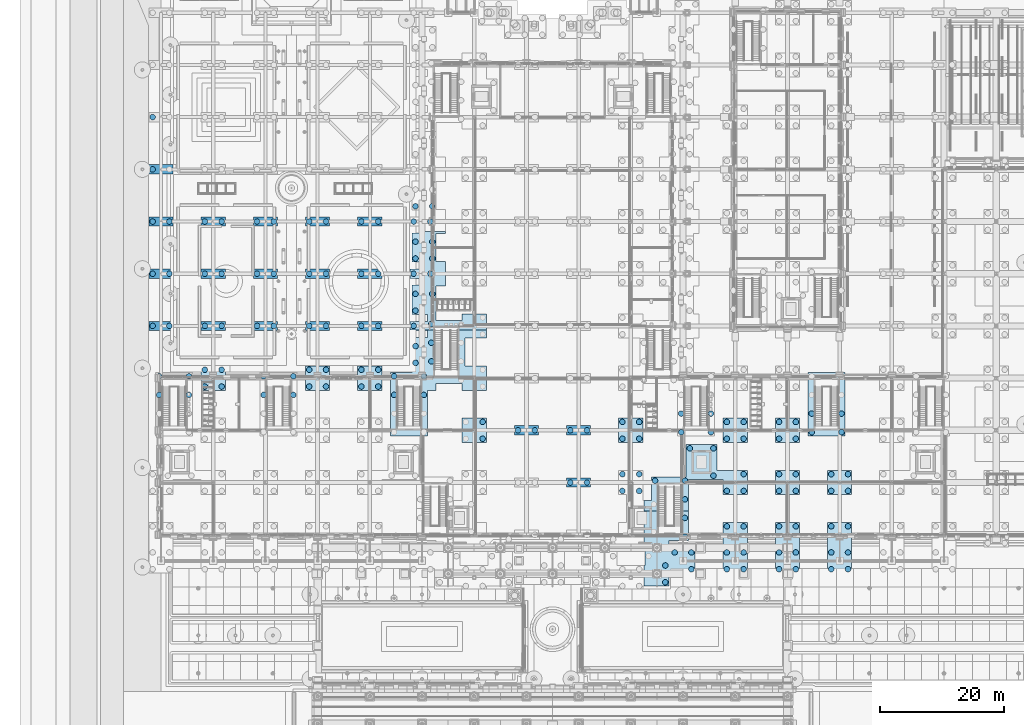
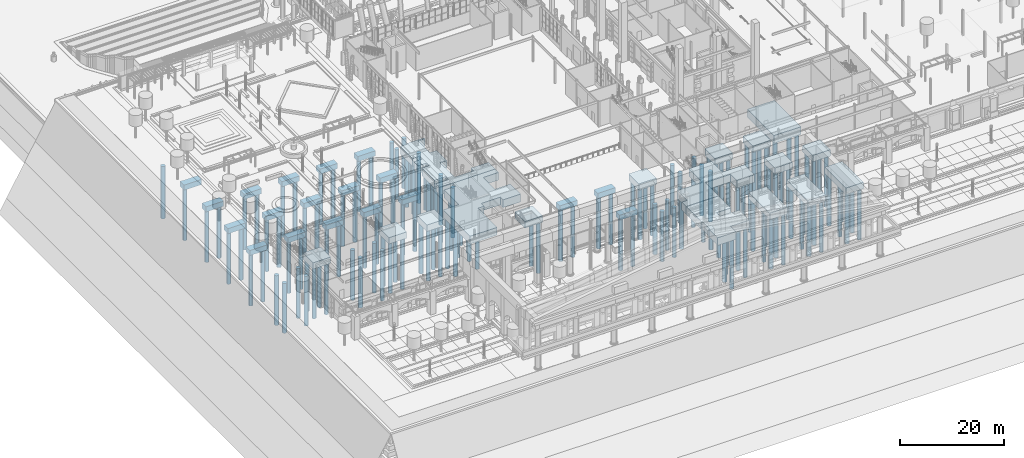
# One storey, part 2 of 222: 149 piles, 36 footings.
"""IFC4 building model written with IfcOpenShell, lengths in metres."""

import ifcopenshell
import ifcopenshell.guid

model = None  # the IFC model being written
_history = None  # IfcOwnerHistory: only IFC2X3 demands one
_inside = {}  # id of a spatial element -> (the spatial element, [elements in it])
_under = {}  # id of a project, library or spatial element -> (it, [spatial elements below it])
_declared = {}  # id of a project -> (the project, [libraries it declares])
_typed = {}  # id of a type object -> (the type object, [elements of that type])
_made_of = {}  # id of a material, layer set ... -> (it, [elements and type objects made of it])


def new_model(schema):
    """Start an empty IFC model of exactly this schema.

    Asked for "IFC4X3", IfcOpenShell would pick the latest addendum, in which some entities
    have other attributes; the version numbers below select the first issue.
    IFC2X3 requires an IfcOwnerHistory on every rooted entity: one is made here for all.
    """
    global model, _history
    if schema == "IFC4X3":
        model = ifcopenshell.file(schema_version=(4, 3, 0, 0))
    else:
        model = ifcopenshell.file(schema=schema)
    _inside.clear()
    _under.clear()
    _declared.clear()
    _typed.clear()
    _made_of.clear()
    _history = None
    if model.schema == "IFC2X3":
        org = make("IfcOrganization", Name="unknown")
        user = make(
            "IfcPersonAndOrganization",
            ThePerson=make("IfcPerson", FamilyName="unknown"),
            TheOrganization=org,
        )
        app = make(
            "IfcApplication",
            ApplicationDeveloper=org,
            Version="unknown",
            ApplicationFullName="unknown",
            ApplicationIdentifier="unknown",
        )
        _history = make(
            "IfcOwnerHistory",
            OwningUser=user,
            OwningApplication=app,
            ChangeAction="ADDED",
            CreationDate=0,
        )
    return model


def make(cls, **values):
    """One entity of the class cls with the attributes given. An attribute that is None is left unset."""
    return model.create_entity(
        cls, **{name: value for name, value in values.items() if value is not None}
    )


def rooted(cls, **values):
    """An entity with a GlobalId (a new one), such as an element, a storey or a relation."""
    return make(cls, GlobalId=ifcopenshell.guid.new(), OwnerHistory=_history, **values)


def si_unit(unit_type, name, prefix=None):
    """IfcSIUnit, for example si_unit("LENGTHUNIT", "METRE", prefix="MILLI")."""
    return make("IfcSIUnit", UnitType=unit_type, Prefix=prefix, Name=name)


def assignment(units):
    """IfcUnitAssignment: the units of a project."""
    return None if units is None else make("IfcUnitAssignment", Units=units)


def point(xyz):
    """IfcCartesianPoint."""
    return None if xyz is None else make("IfcCartesianPoint", Coordinates=xyz)


def direction(xyz):
    """IfcDirection."""
    return None if xyz is None else make("IfcDirection", DirectionRatios=xyz)


def frame(location, z_axis=None, x_axis=None):
    """IfcAxis2Placement3D, a coordinate frame: its origin and axes. An axis left out is left unset."""
    return make(
        "IfcAxis2Placement3D",
        Location=point(location),
        Axis=direction(z_axis),
        RefDirection=direction(x_axis),
    )


def frame_2d(location, x_axis=None):
    """IfcAxis2Placement2D, a coordinate frame in the plane: its origin and x axis."""
    return make(
        "IfcAxis2Placement2D", Location=point(location), RefDirection=direction(x_axis)
    )


def origin():
    """The frame at (0, 0, 0) with its axes left unset."""
    return frame((0.0, 0.0, 0.0))


def origin_2d():
    """The frame at (0, 0) in the plane with its x axis left unset."""
    return frame_2d((0.0, 0.0))


def place(relative_to, where):
    """IfcLocalPlacement: puts the frame where relative to a parent placement (None: the world)."""
    return make(
        "IfcLocalPlacement", PlacementRelTo=relative_to, RelativePlacement=where
    )


def context(
    kind, dimensions, precision=None, world=None, true_north=None, identifier=None
):
    """IfcGeometricRepresentationContext, for example the 3D "Model" context."""
    return make(
        "IfcGeometricRepresentationContext",
        ContextIdentifier=identifier,
        ContextType=kind,
        CoordinateSpaceDimension=dimensions,
        Precision=precision,
        WorldCoordinateSystem=world,
        TrueNorth=true_north,
    )


def subcontext(parent, identifier, kind, view, scale=None):
    """IfcGeometricRepresentationSubContext, for example "Body" below "Model"."""
    return make(
        "IfcGeometricRepresentationSubContext",
        ContextIdentifier=identifier,
        ContextType=kind,
        ParentContext=parent,
        TargetScale=scale,
        TargetView=view,
    )


def project(units=None, contexts=None):
    """IfcProject with its units and contexts."""
    return rooted(
        "IfcProject",
        Name="project",
        RepresentationContexts=contexts,
        UnitsInContext=assignment(units),
    )


def spatial(cls, under=None, at=None, **own):
    """A site, building, storey or space (cls), placed at a placement, below another one or the project."""
    s = rooted(cls, ObjectPlacement=at, **own)
    if under is not None:
        _under.setdefault(under.id(), (under, []))[1].append(s)
    return s


def polyline(points):
    """IfcPolyline through the points."""
    return make("IfcPolyline", Points=[point(p) for p in points])


def profile(cls, at=None, kind="AREA", **sizes):
    """A parametric profile (cls). Its sizes go by their IFC names, for example OverallWidth=200.0."""
    return make(cls, ProfileType=kind, Position=at, **sizes)


def rectangle(**sizes):
    """IfcRectangleProfileDef."""
    return profile("IfcRectangleProfileDef", **sizes)


def circle(**sizes):
    """IfcCircleProfileDef."""
    return profile("IfcCircleProfileDef", **sizes)


def outline(outer, holes=None, kind="AREA"):
    """IfcArbitraryClosedProfileDef: a profile drawn as a closed curve; with holes, ...WithVoids."""
    if holes is None:
        return make("IfcArbitraryClosedProfileDef", ProfileType=kind, OuterCurve=outer)
    return make(
        "IfcArbitraryProfileDefWithVoids",
        ProfileType=kind,
        OuterCurve=outer,
        InnerCurves=holes,
    )


def extrude(swept, where, along, depth):
    """IfcExtrudedAreaSolid: the profile swept, set in the frame where, extruded along a direction by depth."""
    return make(
        "IfcExtrudedAreaSolid",
        SweptArea=swept,
        Position=where,
        ExtrudedDirection=direction(along),
        Depth=depth,
    )


def shape(context_of_items, identifier, shape_type, items):
    """IfcShapeRepresentation: the items that make up one representation, for example the "Body"."""
    return make(
        "IfcShapeRepresentation",
        ContextOfItems=context_of_items,
        RepresentationIdentifier=identifier,
        RepresentationType=shape_type,
        Items=items,
    )


def material(Name=None, Category=None):
    """IfcMaterial."""
    return make("IfcMaterial", Name=Name, Category=Category)


def material_profile(
    of_material, cross_section, Name=None, Category=None, Priority=None
):
    """IfcMaterialProfile: a cross section and its material."""
    return make(
        "IfcMaterialProfile",
        Name=Name,
        Material=of_material,
        Profile=cross_section,
        Priority=Priority,
        Category=Category,
    )


def profile_set(profiles, Name=None, composite=None):
    """IfcMaterialProfileSet."""
    return make(
        "IfcMaterialProfileSet",
        Name=Name,
        MaterialProfiles=profiles,
        CompositeProfile=composite,
    )


def made_of(thing, what):
    """Note that an element or type object is made of a material, layer set ...; save() writes the relation."""
    if what is not None:
        _made_of.setdefault(what.id(), (what, []))[1].append(thing)
    return thing


def type_object(cls, material=None, **own):
    """A type object (cls), such as IfcWallType, which elements share."""
    return made_of(rooted(cls, **own), material)


def element(
    cls,
    number,
    at=None,
    inside=None,
    cuts=None,
    type_object=None,
    material=None,
    context=None,
    identifier="Body",
    shape_type=None,
    held_by="IfcProductDefinitionShape",
    body=None,
    shapes=None,
    **own,
):
    """One element of the class cls, such as IfcWall. Its Tag is "e" and its number.

    at: its placement. inside: the storey or other place that contains it. cuts: it is an
    opening in that element (IfcRelVoidsElement). A single representation is given by context,
    identifier, shape_type and body (its items); several are given by shapes. held_by: the class
    of the entity that holds the representations. save() writes the other relations.
    """
    e = rooted(cls, Tag="e%d" % number, ObjectPlacement=at, **own)
    if body is not None:
        shapes = [shape(context, identifier, shape_type, body)]
    if shapes is not None:
        e.Representation = make(held_by, Representations=shapes)
    if inside is not None:
        _inside.setdefault(inside.id(), (inside, []))[1].append(e)
    if cuts is not None:
        rooted(
            "IfcRelVoidsElement", RelatingBuildingElement=cuts, RelatedOpeningElement=e
        )
    if type_object is not None:
        _typed.setdefault(type_object.id(), (type_object, []))[1].append(e)
    return made_of(e, material)


def aggregate(whole, parts):
    """IfcRelAggregates: a whole, such as a stair, and the parts it consists of."""
    return rooted("IfcRelAggregates", RelatingObject=whole, RelatedObjects=parts)


def save(model, path):
    """Write the relations noted so far, then the file.

    IfcRelAggregates (storeys below a building ...), IfcRelContainedInSpatialStructure (elements
    in a storey), IfcRelDefinesByType, IfcRelAssociatesMaterial and IfcRelDeclares: one each for
    every whole, place, type object, material and project.
    """
    for whole, parts in _under.values():
        aggregate(whole, parts)
    for where, things in _inside.values():
        rooted(
            "IfcRelContainedInSpatialStructure",
            RelatedElements=things,
            RelatingStructure=where,
        )
    for kind, things in _typed.values():
        rooted("IfcRelDefinesByType", RelatedObjects=things, RelatingType=kind)
    for what, things in _made_of.values():
        rooted("IfcRelAssociatesMaterial", RelatedObjects=things, RelatingMaterial=what)
    for by, libraries in _declared.values():
        rooted("IfcRelDeclares", RelatingContext=by, RelatedDefinitions=libraries)
    model.write(path)


model = new_model("IFC4")

# Units and contexts
model_context = context("Model", 3, precision=1e-05, world=origin(), true_north=direction((0.0, 1.0)))
body_context = subcontext(model_context, "Body", "Model", "MODEL_VIEW")
ifc_project = project(units=[si_unit("LENGTHUNIT", "METRE"), si_unit("AREAUNIT", "SQUARE_METRE"), si_unit("VOLUMEUNIT", "CUBIC_METRE"), si_unit("PLANEANGLEUNIT", "RADIAN"), si_unit("MASSUNIT", "GRAM", prefix="KILO")], contexts=[model_context])

# Site, building, storey
site_placement = place(None, origin())
site = spatial("IfcSite", under=ifc_project, at=site_placement, CompositionType="ELEMENT")
building_placement = place(site_placement, origin())
building = spatial("IfcBuilding", under=site, at=building_placement, Name="Sava Quay Ferry Terminal", CompositionType="ELEMENT")
storey_placement = place(building_placement, origin())
storey = spatial("IfcBuildingStorey", under=building, at=storey_placement, Name="L00", CompositionType="ELEMENT", Elevation=0.0)

# Piles
ifc_material_1 = material(Name="Concrete C30/37", Category="concrete")
ifc_material_profile = material_profile(ifc_material_1, circle(Radius=0.449951171875, at=origin_2d()), Name="Bored pile D900")
ifc_profile_set = profile_set([ifc_material_profile], Name="Concrete C30/37")
pile_type = type_object("IfcPileType", Name="Bored pile D900", PredefinedType="BORED", material=ifc_profile_set)
for number, where, z_axis, x_axis, name in (
    (1, (74.25, 32.25, -3.050048828125), (0.0, 0.0, -1.0), (1.0, 0.0, 0.0), "Pile 74.25/32.25"),
    (2, (74.25, 34.949951171875, -3.050048828125), (0.0, 0.0, -1.0), (1.0, 0.0, 0.0), "Pile 74.25/34.95"),
    (3, (76.949951171875, 32.25, -3.050048828125), (0.0, 0.0, -1.0), (1.0, 0.0, 0.0), "Pile 76.95/32.25"),
    (4, (76.949951171875, 34.949951171875, -3.050048828125), (0.0, 0.0, -1.0), (1.0, 0.0, 0.0), "Pile 76.95/34.95"),
    (5, (84.300048828125, 24.89990234375, -3.050048828125), (0.0, 0.0, -1.0), (1.0, 0.0, 0.0), "Pile 84.3/24.9"),
    (6, (84.300048828125, 27.89990234375, -3.050048828125), (0.0, 0.0, -1.0), (1.0, 0.0, 0.0), "Pile 84.3/27.9"),
    (7, (81.14990234375, 17.550048828125, -3.050048828125), (0.0, 0.0, -1.0), (1.0, 0.0, 0.0), "Pile 81.15/17.55"),
    (8, (81.14990234375, 20.25, -3.050048828125), (0.0, 0.0, -1.0), (1.0, 0.0, 0.0), "Pile 81.15/20.25"),
    (9, (82.64990234375, 22.35009765625, -3.050048828125), (0.0, 0.0, -1.0), (1.0, 0.0, 0.0), "Pile 82.65/22.35"),
    (10, (85.35009765625, 19.64990234375, -3.050048828125), (0.0, 0.0, -1.0), (1.0, 0.0, 0.0), "Pile 85.35/19.65"),
    (11, (85.35009765625, 22.35009765625, -3.050048828125), (0.0, 0.0, -1.0), (1.0, 0.0, 0.0), "Pile 85.35/22.35"),
):
    element("IfcPile", number, at=place(storey_placement, frame(where, z_axis=z_axis, x_axis=x_axis)), inside=storey, type_object=pile_type, Name=name, PredefinedType="BORED", context=body_context, shape_type="SweptSolid", body=[
        extrude(circle(Radius=0.449951171875, at=origin_2d()), origin(), (0.0, 0.0, 1.0), 11.64990234375),
    ])
for number, where, z_axis, x_axis, name in (
    (12, (91.050048828125, 19.64990234375, -2.75), (0.0, 0.0, -1.0), (1.0, 0.0, 0.0), "Pile 91.05/19.65"),
    (13, (91.050048828125, 22.35009765625, -2.75), (0.0, 0.0, -1.0), (1.0, 0.0, 0.0), "Pile 91.05/22.35"),
    (14, (93.75, 19.64990234375, -2.75), (0.0, 0.0, -1.0), (1.0, 0.0, 0.0), "Pile 93.75/19.65"),
    (15, (93.75, 22.35009765625, -2.75), (0.0, 0.0, -1.0), (1.0, 0.0, 0.0), "Pile 93.75/22.35"),
    (16, (91.050048828125, 26.550048828125, -2.75), (0.0, 0.0, -1.0), (1.0, 0.0, 0.0), "Pile 91.05/26.55"),
    (17, (93.75, 26.550048828125, -2.75), (0.0, 0.0, -1.0), (1.0, 0.0, 0.0), "Pile 93.75/26.55"),
    (18, (99.449951171875, 19.64990234375, -2.75), (0.0, 0.0, -1.0), (1.0, 0.0, 0.0), "Pile 99.45/19.65"),
    (19, (99.449951171875, 22.35009765625, -2.75), (0.0, 0.0, -1.0), (1.0, 0.0, 0.0), "Pile 99.45/22.35"),
    (20, (102.14990234375, 19.64990234375, -2.75), (0.0, 0.0, -1.0), (1.0, 0.0, 0.0), "Pile 102.15/19.65"),
    (21, (102.14990234375, 22.35009765625, -2.75), (0.0, 0.0, -1.0), (1.0, 0.0, 0.0), "Pile 102.15/22.35"),
    (22, (99.449951171875, 26.550048828125, -2.75), (0.0, 0.0, -1.0), (1.0, 0.0, 0.0), "Pile 99.45/26.55"),
    (23, (102.14990234375, 26.550048828125, -2.75), (0.0, 0.0, -1.0), (1.0, 0.0, 0.0), "Pile 102.15/26.55"),
    (24, (107.85009765625, 19.64990234375, -2.75), (0.0, 0.0, -1.0), (1.0, 0.0, 0.0), "Pile 107.85/19.65"),
    (25, (107.85009765625, 22.35009765625, -2.75), (0.0, 0.0, -1.0), (1.0, 0.0, 0.0), "Pile 107.85/22.35"),
    (26, (110.550048828125, 19.64990234375, -2.75), (0.0, 0.0, -1.0), (1.0, 0.0, 0.0), "Pile 110.55/19.65"),
    (27, (110.550048828125, 22.35009765625, -2.75), (0.0, 0.0, -1.0), (1.0, 0.0, 0.0), "Pile 110.55/22.35"),
    (28, (107.85009765625, 26.550048828125, -2.75), (0.0, 0.0, -1.0), (1.0, 0.0, 0.0), "Pile 107.85/26.55"),
    (29, (110.550048828125, 26.550048828125, -2.75), (0.0, 0.0, -1.0), (1.0, 0.0, 0.0), "Pile 110.55/26.55"),
):
    element("IfcPile", number, at=place(storey_placement, frame(where, z_axis=z_axis, x_axis=x_axis)), inside=storey, type_object=pile_type, Name=name, PredefinedType="BORED", context=body_context, shape_type="SweptSolid", body=[
        extrude(circle(Radius=0.449951171875, at=origin_2d()), origin(), (0.0, 0.0, 1.0), 11.949951171875),
    ])
for number, where, z_axis, x_axis, name in (
    (30, (79.5, 33.89990234375, -3.050048828125), (0.0, 0.0, -1.0), (1.0, 0.0, 0.0), "Pile 79.5/33.9"),
    (31, (84.300048828125, 30.89990234375, -3.050048828125), (0.0, 0.0, -1.0), (1.0, 0.0, 0.0), "Pile 84.3/30.9"),
    (32, (84.300048828125, 33.89990234375, -3.050048828125), (0.0, 0.0, -1.0), (1.0, 0.0, 0.0), "Pile 84.3/33.9"),
    (33, (85.10009765625, 39.10009765625, -3.050048828125), (0.0, 0.0, -1.0), (1.0, 0.0, 0.0), "Pile 85.1/39.1"),
    (34, (88.89990234375, 34.699951171875, -3.050048828125), (0.0, 0.0, -1.0), (1.0, 0.0, 0.0), "Pile 88.9/34.7"),
    (35, (88.89990234375, 39.10009765625, -3.050048828125), (0.0, 0.0, -1.0), (1.0, 0.0, 0.0), "Pile 88.9/39.1"),
    (36, (91.050048828125, 32.25, -3.050048828125), (0.0, 0.0, -1.0), (1.0, 0.0, 0.0), "Pile 91.05/32.25"),
    (37, (93.75, 32.25, -3.050048828125), (0.0, 0.0, -1.0), (1.0, 0.0, 0.0), "Pile 93.75/32.25"),
    (38, (93.75, 34.949951171875, -3.050048828125), (0.0, 0.0, -1.0), (1.0, 0.0, 0.0), "Pile 93.75/34.95"),
):
    element("IfcPile", number, at=place(storey_placement, frame(where, z_axis=z_axis, x_axis=x_axis)), inside=storey, type_object=pile_type, Name=name, PredefinedType="BORED", context=body_context, shape_type="SweptSolid", body=[
        extrude(circle(Radius=0.449951171875, at=origin_2d()), origin(), (0.0, 0.0, 1.0), 11.64990234375),
    ])
for number, where, z_axis, x_axis, name in (
    (39, (99.449951171875, 32.25, -2.75), (0.0, 0.0, -1.0), (1.0, 0.0, 0.0), "Pile 99.45/32.25"),
    (40, (99.449951171875, 34.949951171875, -2.75), (0.0, 0.0, -1.0), (1.0, 0.0, 0.0), "Pile 99.45/34.95"),
    (41, (102.14990234375, 32.25, -2.75), (0.0, 0.0, -1.0), (1.0, 0.0, 0.0), "Pile 102.15/32.25"),
    (42, (102.14990234375, 34.949951171875, -2.75), (0.0, 0.0, -1.0), (1.0, 0.0, 0.0), "Pile 102.15/34.95"),
    (43, (107.85009765625, 32.25, -2.75), (0.0, 0.0, -1.0), (1.0, 0.0, 0.0), "Pile 107.85/32.25"),
    (44, (107.85009765625, 34.949951171875, -2.75), (0.0, 0.0, -1.0), (1.0, 0.0, 0.0), "Pile 107.85/34.95"),
    (45, (110.550048828125, 32.25, -2.75), (0.0, 0.0, -1.0), (1.0, 0.0, 0.0), "Pile 110.55/32.25"),
    (46, (110.550048828125, 34.949951171875, -2.75), (0.0, 0.0, -1.0), (1.0, 0.0, 0.0), "Pile 110.55/34.95"),
):
    element("IfcPile", number, at=place(storey_placement, frame(where, z_axis=z_axis, x_axis=x_axis)), inside=storey, type_object=pile_type, Name=name, PredefinedType="BORED", context=body_context, shape_type="SweptSolid", body=[
        extrude(circle(Radius=0.449951171875, at=origin_2d()), origin(), (0.0, 0.0, 1.0), 11.949951171875),
    ])
for number, where, z_axis, x_axis, name in (
    (47, (65.85009765625, 33.60009765625, -2.449951171875), (0.0, 0.0, -1.0), (1.0, 0.0, 0.0), "Pile 65.85/33.6"),
    (48, (68.550048828125, 33.60009765625, -2.449951171875), (0.0, 0.0, -1.0), (1.0, 0.0, 0.0), "Pile 68.55/33.6"),
):
    element("IfcPile", number, at=place(storey_placement, frame(where, z_axis=z_axis, x_axis=x_axis)), inside=storey, type_object=pile_type, Name=name, PredefinedType="BORED", context=body_context, shape_type="SweptSolid", body=[
        extrude(circle(Radius=0.449951171875, at=origin_2d()), origin(), (0.0, 0.0, 1.0), 12.25),
    ])
for number, where, z_axis, x_axis, name in (
    (49, (51.75, 40.64990234375, -2.75), (0.0, 0.0, -1.0), (1.0, 0.0, 0.0), "Pile 51.75/40.65"),
    (50, (51.75, 43.35009765625, -2.75), (0.0, 0.0, -1.0), (1.0, 0.0, 0.0), "Pile 51.75/43.35"),
    (51, (74.25, 40.64990234375, -2.75), (0.0, 0.0, -1.0), (1.0, 0.0, 0.0), "Pile 74.25/40.65"),
    (52, (74.25, 43.35009765625, -2.75), (0.0, 0.0, -1.0), (1.0, 0.0, 0.0), "Pile 74.25/43.35"),
    (53, (76.949951171875, 40.64990234375, -2.75), (0.0, 0.0, -1.0), (1.0, 0.0, 0.0), "Pile 76.95/40.65"),
    (54, (76.949951171875, 43.35009765625, -2.75), (0.0, 0.0, -1.0), (1.0, 0.0, 0.0), "Pile 76.95/43.35"),
    (55, (91.050048828125, 40.64990234375, -2.75), (0.0, 0.0, -1.0), (1.0, 0.0, 0.0), "Pile 91.05/40.65"),
    (56, (91.050048828125, 43.35009765625, -2.75), (0.0, 0.0, -1.0), (1.0, 0.0, 0.0), "Pile 91.05/43.35"),
    (57, (93.75, 40.64990234375, -2.75), (0.0, 0.0, -1.0), (1.0, 0.0, 0.0), "Pile 93.75/40.65"),
    (58, (93.75, 43.35009765625, -2.75), (0.0, 0.0, -1.0), (1.0, 0.0, 0.0), "Pile 93.75/43.35"),
    (59, (99.449951171875, 40.64990234375, -2.75), (0.0, 0.0, -1.0), (1.0, 0.0, 0.0), "Pile 99.45/40.65"),
    (60, (99.449951171875, 43.35009765625, -2.75), (0.0, 0.0, -1.0), (1.0, 0.0, 0.0), "Pile 99.45/43.35"),
    (61, (102.14990234375, 40.64990234375, -2.75), (0.0, 0.0, -1.0), (1.0, 0.0, 0.0), "Pile 102.15/40.65"),
    (62, (102.14990234375, 43.35009765625, -2.75), (0.0, 0.0, -1.0), (1.0, 0.0, 0.0), "Pile 102.15/43.35"),
):
    element("IfcPile", number, at=place(storey_placement, frame(where, z_axis=z_axis, x_axis=x_axis)), inside=storey, type_object=pile_type, Name=name, PredefinedType="BORED", context=body_context, shape_type="SweptSolid", body=[
        extrude(circle(Radius=0.449951171875, at=origin_2d()), origin(), (0.0, 0.0, 1.0), 11.949951171875),
    ])
for number, where, z_axis, x_axis, name in (
    (63, (-0.300048828125, 47.699951171875, -3.050048828125), (0.0, 0.0, -1.0), (1.0, 0.0, 0.0), "Pile -0.3/47.7"),
    (64, (-0.300048828125, 50.699951171875, -3.050048828125), (0.0, 0.0, -1.0), (1.0, 0.0, 0.0), "Pile -0.3/50.7"),
    (65, (4.5, 47.699951171875, -3.050048828125), (0.0, 0.0, -1.0), (1.0, 0.0, 0.0), "Pile 4.5/47.7"),
    (66, (4.5, 50.699951171875, -3.050048828125), (0.0, 0.0, -1.0), (1.0, 0.0, 0.0), "Pile 4.5/50.7"),
    (67, (16.5, 47.699951171875, -3.050048828125), (0.0, 0.0, -1.0), (1.0, 0.0, 0.0), "Pile 16.5/47.7"),
    (68, (16.5, 50.699951171875, -3.050048828125), (0.0, 0.0, -1.0), (1.0, 0.0, 0.0), "Pile 16.5/50.7"),
    (69, (21.300048828125, 47.699951171875, -3.050048828125), (0.0, 0.0, -1.0), (1.0, 0.0, 0.0), "Pile 21.3/47.7"),
    (70, (21.300048828125, 50.699951171875, -3.050048828125), (0.0, 0.0, -1.0), (1.0, 0.0, 0.0), "Pile 21.3/50.7"),
    (71, (37.5, 47.699951171875, -3.050048828125), (0.0, 0.0, -1.0), (1.0, 0.0, 0.0), "Pile 37.5/47.7"),
    (72, (37.5, 50.699951171875, -3.050048828125), (0.0, 0.0, -1.0), (1.0, 0.0, 0.0), "Pile 37.5/50.7"),
    (73, (42.300048828125, 47.699951171875, -3.050048828125), (0.0, 0.0, -1.0), (1.0, 0.0, 0.0), "Pile 42.3/47.7"),
    (74, (42.300048828125, 50.699951171875, -3.050048828125), (0.0, 0.0, -1.0), (1.0, 0.0, 0.0), "Pile 42.3/50.7"),
    (75, (43.5, 53.10009765625, -3.050048828125), (0.0, 0.0, -1.0), (1.0, 0.0, 0.0), "Pile 43.5/53.1"),
    (76, (43.5, 56.10009765625, -3.050048828125), (0.0, 0.0, -1.0), (1.0, 0.0, 0.0), "Pile 43.5/56.1"),
    (77, (40.949951171875, 52.85009765625, -3.050048828125), (0.0, 0.0, -1.0), (1.0, 0.0, 0.0), "Pile 40.95/52.85"),
    (78, (40.949951171875, 55.550048828125, -3.050048828125), (0.0, 0.0, -1.0), (1.0, 0.0, 0.0), "Pile 40.95/55.55"),
    (79, (83.699951171875, 41.699951171875, -3.050048828125), (0.0, 0.0, -1.0), (1.0, 0.0, 0.0), "Pile 83.7/41.7"),
    (80, (83.699951171875, 44.699951171875, -3.050048828125), (0.0, 0.0, -1.0), (1.0, 0.0, 0.0), "Pile 83.7/44.7"),
    (81, (88.5, 41.699951171875, -3.050048828125), (0.0, 0.0, -1.0), (1.0, 0.0, 0.0), "Pile 88.5/41.7"),
    (82, (88.5, 44.699951171875, -3.050048828125), (0.0, 0.0, -1.0), (1.0, 0.0, 0.0), "Pile 88.5/44.7"),
    (83, (104.699951171875, 41.699951171875, -3.050048828125), (0.0, 0.0, -1.0), (1.0, 0.0, 0.0), "Pile 104.7/41.7"),
    (84, (104.699951171875, 44.699951171875, -3.050048828125), (0.0, 0.0, -1.0), (1.0, 0.0, 0.0), "Pile 104.7/44.7"),
    (85, (109.5, 41.699951171875, -3.050048828125), (0.0, 0.0, -1.0), (1.0, 0.0, 0.0), "Pile 109.5/41.7"),
    (86, (109.5, 44.699951171875, -3.050048828125), (0.0, 0.0, -1.0), (1.0, 0.0, 0.0), "Pile 109.5/44.7"),
):
    element("IfcPile", number, at=place(storey_placement, frame(where, z_axis=z_axis, x_axis=x_axis)), inside=storey, type_object=pile_type, Name=name, PredefinedType="BORED", context=body_context, shape_type="SweptSolid", body=[
        extrude(circle(Radius=0.449951171875, at=origin_2d()), origin(), (0.0, 0.0, 1.0), 11.64990234375),
    ])
for number, where, z_axis, x_axis, name in (
    (87, (57.449951171875, 42.0, -2.449951171875), (0.0, 0.0, -1.0), (1.0, 0.0, 0.0), "Pile 57.45/42"),
    (88, (60.14990234375, 42.0, -2.449951171875), (0.0, 0.0, -1.0), (1.0, 0.0, 0.0), "Pile 60.15/42"),
    (89, (65.85009765625, 42.0, -2.449951171875), (0.0, 0.0, -1.0), (1.0, 0.0, 0.0), "Pile 65.85/42"),
    (90, (68.550048828125, 42.0, -2.449951171875), (0.0, 0.0, -1.0), (1.0, 0.0, 0.0), "Pile 68.55/42"),
):
    element("IfcPile", number, at=place(storey_placement, frame(where, z_axis=z_axis, x_axis=x_axis)), inside=storey, type_object=pile_type, Name=name, PredefinedType="BORED", context=body_context, shape_type="SweptSolid", body=[
        extrude(circle(Radius=0.449951171875, at=origin_2d()), origin(), (0.0, 0.0, 1.0), 12.25),
    ])
for number, where, z_axis, x_axis, name in (
    (91, (7.050048828125, 49.050048828125, -2.75), (0.0, 0.0, -1.0), (1.0, 0.0, 0.0), "Pile 7.05/49.05"),
    (92, (7.050048828125, 51.75, -2.75), (0.0, 0.0, -1.0), (1.0, 0.0, 0.0), "Pile 7.05/51.75"),
    (93, (9.75, 49.050048828125, -2.75), (0.0, 0.0, -1.0), (1.0, 0.0, 0.0), "Pile 9.75/49.05"),
    (94, (9.75, 51.75, -2.75), (0.0, 0.0, -1.0), (1.0, 0.0, 0.0), "Pile 9.75/51.75"),
    (95, (23.85009765625, 49.050048828125, -2.75), (0.0, 0.0, -1.0), (1.0, 0.0, 0.0), "Pile 23.85/49.05"),
    (96, (23.85009765625, 51.75, -2.75), (0.0, 0.0, -1.0), (1.0, 0.0, 0.0), "Pile 23.85/51.75"),
    (97, (26.550048828125, 49.050048828125, -2.75), (0.0, 0.0, -1.0), (1.0, 0.0, 0.0), "Pile 26.55/49.05"),
    (98, (26.550048828125, 51.75, -2.75), (0.0, 0.0, -1.0), (1.0, 0.0, 0.0), "Pile 26.55/51.75"),
    (99, (32.25, 49.050048828125, -2.75), (0.0, 0.0, -1.0), (1.0, 0.0, 0.0), "Pile 32.25/49.05"),
    (100, (32.25, 51.75, -2.75), (0.0, 0.0, -1.0), (1.0, 0.0, 0.0), "Pile 32.25/51.75"),
    (101, (34.949951171875, 49.050048828125, -2.75), (0.0, 0.0, -1.0), (1.0, 0.0, 0.0), "Pile 34.95/49.05"),
    (102, (34.949951171875, 51.75, -2.75), (0.0, 0.0, -1.0), (1.0, 0.0, 0.0), "Pile 34.95/51.75"),
):
    element("IfcPile", number, at=place(storey_placement, frame(where, z_axis=z_axis, x_axis=x_axis)), inside=storey, type_object=pile_type, Name=name, PredefinedType="BORED", context=body_context, shape_type="SweptSolid", body=[
        extrude(circle(Radius=0.449951171875, at=origin_2d()), origin(), (0.0, 0.0, 1.0), 11.949951171875),
    ])
for number, where, z_axis, x_axis, name in (
    (103, (-1.35009765625, 58.800048828125, -2.449951171875), (0.0, 0.0, -1.0), (1.0, 0.0, 0.0), "Pile -1.35/58.8"),
    (104, (1.35009765625, 58.800048828125, -2.449951171875), (0.0, 0.0, -1.0), (1.0, 0.0, 0.0), "Pile 1.35/58.8"),
    (105, (7.050048828125, 58.800048828125, -2.449951171875), (0.0, 0.0, -1.0), (1.0, 0.0, 0.0), "Pile 7.05/58.8"),
    (106, (9.75, 58.800048828125, -2.449951171875), (0.0, 0.0, -1.0), (1.0, 0.0, 0.0), "Pile 9.75/58.8"),
    (107, (15.449951171875, 58.800048828125, -2.449951171875), (0.0, 0.0, -1.0), (1.0, 0.0, 0.0), "Pile 15.45/58.8"),
    (108, (18.14990234375, 58.800048828125, -2.449951171875), (0.0, 0.0, -1.0), (1.0, 0.0, 0.0), "Pile 18.15/58.8"),
    (109, (23.85009765625, 58.800048828125, -2.449951171875), (0.0, 0.0, -1.0), (1.0, 0.0, 0.0), "Pile 23.85/58.8"),
    (110, (26.550048828125, 58.800048828125, -2.449951171875), (0.0, 0.0, -1.0), (1.0, 0.0, 0.0), "Pile 26.55/58.8"),
    (111, (32.25, 58.800048828125, -2.449951171875), (0.0, 0.0, -1.0), (1.0, 0.0, 0.0), "Pile 32.25/58.8"),
    (112, (34.949951171875, 58.800048828125, -2.449951171875), (0.0, 0.0, -1.0), (1.0, 0.0, 0.0), "Pile 34.95/58.8"),
):
    element("IfcPile", number, at=place(storey_placement, frame(where, z_axis=z_axis, x_axis=x_axis)), inside=storey, type_object=pile_type, Name=name, PredefinedType="BORED", context=body_context, shape_type="SweptSolid", body=[
        extrude(circle(Radius=0.449951171875, at=origin_2d()), origin(), (0.0, 0.0, 1.0), 12.25),
    ])
for number, where, z_axis, x_axis, name in (
    (113, (43.5, 59.10009765625, -3.050048828125), (0.0, 0.0, -1.0), (1.0, 0.0, 0.0), "Pile 43.5/59.1"),
    (114, (40.949951171875, 61.25, -3.050048828125), (0.0, 0.0, -1.0), (1.0, 0.0, 0.0), "Pile 40.95/61.25"),
    (115, (40.949951171875, 63.949951171875, -3.050048828125), (0.0, 0.0, -1.0), (1.0, 0.0, 0.0), "Pile 40.95/63.95"),
    (116, (43.64990234375, 63.949951171875, -3.050048828125), (0.0, 0.0, -1.0), (1.0, 0.0, 0.0), "Pile 43.65/63.95"),
    (117, (40.949951171875, 69.64990234375, -3.050048828125), (0.0, 0.0, -1.0), (1.0, 0.0, 0.0), "Pile 40.95/69.65"),
    (118, (40.949951171875, 72.35009765625, -3.050048828125), (0.0, 0.0, -1.0), (1.0, 0.0, 0.0), "Pile 40.95/72.35"),
    (119, (43.64990234375, 69.64990234375, -3.050048828125), (0.0, 0.0, -1.0), (1.0, 0.0, 0.0), "Pile 43.65/69.65"),
    (120, (43.64990234375, 72.35009765625, -3.050048828125), (0.0, 0.0, -1.0), (1.0, 0.0, 0.0), "Pile 43.65/72.35"),
    (121, (40.64990234375, 58.800048828125, -3.050048828125), (0.0, 0.0, -1.0), (1.0, 0.0, 0.0), "Pile 40.65/58.8"),
    (122, (40.64990234375, 67.199951171875, -3.050048828125), (0.0, 0.0, -1.0), (1.0, 0.0, 0.0), "Pile 40.65/67.2"),
    (123, (43.35009765625, 67.199951171875, -3.050048828125), (0.0, 0.0, -1.0), (1.0, 0.0, 0.0), "Pile 43.35/67.2"),
):
    element("IfcPile", number, at=place(storey_placement, frame(where, z_axis=z_axis, x_axis=x_axis)), inside=storey, type_object=pile_type, Name=name, PredefinedType="BORED", context=body_context, shape_type="SweptSolid", body=[
        extrude(circle(Radius=0.449951171875, at=origin_2d()), origin(), (0.0, 0.0, 1.0), 11.64990234375),
    ])
for number, where, z_axis, x_axis, name in (
    (124, (-1.35009765625, 67.199951171875, -2.449951171875), (0.0, 0.0, -1.0), (1.0, 0.0, 0.0), "Pile -1.35/67.2"),
    (125, (1.35009765625, 67.199951171875, -2.449951171875), (0.0, 0.0, -1.0), (1.0, 0.0, 0.0), "Pile 1.35/67.2"),
    (126, (7.050048828125, 67.199951171875, -2.449951171875), (0.0, 0.0, -1.0), (1.0, 0.0, 0.0), "Pile 7.05/67.2"),
    (127, (9.75, 67.199951171875, -2.449951171875), (0.0, 0.0, -1.0), (1.0, 0.0, 0.0), "Pile 9.75/67.2"),
    (128, (15.449951171875, 67.199951171875, -2.449951171875), (0.0, 0.0, -1.0), (1.0, 0.0, 0.0), "Pile 15.45/67.2"),
    (129, (18.14990234375, 67.199951171875, -2.449951171875), (0.0, 0.0, -1.0), (1.0, 0.0, 0.0), "Pile 18.15/67.2"),
    (130, (23.85009765625, 67.199951171875, -2.449951171875), (0.0, 0.0, -1.0), (1.0, 0.0, 0.0), "Pile 23.85/67.2"),
    (131, (26.550048828125, 67.199951171875, -2.449951171875), (0.0, 0.0, -1.0), (1.0, 0.0, 0.0), "Pile 26.55/67.2"),
    (132, (32.25, 67.199951171875, -2.449951171875), (0.0, 0.0, -1.0), (1.0, 0.0, 0.0), "Pile 32.25/67.2"),
    (133, (34.949951171875, 67.199951171875, -2.449951171875), (0.0, 0.0, -1.0), (1.0, 0.0, 0.0), "Pile 34.95/67.2"),
):
    element("IfcPile", number, at=place(storey_placement, frame(where, z_axis=z_axis, x_axis=x_axis)), inside=storey, type_object=pile_type, Name=name, PredefinedType="BORED", context=body_context, shape_type="SweptSolid", body=[
        extrude(circle(Radius=0.449951171875, at=origin_2d()), origin(), (0.0, 0.0, 1.0), 12.25),
    ])
for number, where, z_axis, x_axis, name in (
    (134, (40.949951171875, 78.050048828125, -3.050048828125), (0.0, 0.0, -1.0), (1.0, 0.0, 0.0), "Pile 40.95/78.05"),
    (135, (43.64990234375, 78.050048828125, -3.050048828125), (0.0, 0.0, -1.0), (1.0, 0.0, 0.0), "Pile 43.65/78.05"),
    (136, (40.64990234375, 75.60009765625, -3.050048828125), (0.0, 0.0, -1.0), (1.0, 0.0, 0.0), "Pile 40.65/75.6"),
    (137, (43.35009765625, 75.60009765625, -3.050048828125), (0.0, 0.0, -1.0), (1.0, 0.0, 0.0), "Pile 43.35/75.6"),
):
    element("IfcPile", number, at=place(storey_placement, frame(where, z_axis=z_axis, x_axis=x_axis)), inside=storey, type_object=pile_type, Name=name, PredefinedType="BORED", context=body_context, shape_type="SweptSolid", body=[
        extrude(circle(Radius=0.449951171875, at=origin_2d()), origin(), (0.0, 0.0, 1.0), 11.64990234375),
    ])
for number, where, z_axis, x_axis, name in (
    (138, (-1.35009765625, 75.60009765625, -2.449951171875), (0.0, 0.0, -1.0), (1.0, 0.0, 0.0), "Pile -1.35/75.6"),
    (139, (1.35009765625, 75.60009765625, -2.449951171875), (0.0, 0.0, -1.0), (1.0, 0.0, 0.0), "Pile 1.35/75.6"),
    (140, (7.050048828125, 75.60009765625, -2.449951171875), (0.0, 0.0, -1.0), (1.0, 0.0, 0.0), "Pile 7.05/75.6"),
    (141, (9.75, 75.60009765625, -2.449951171875), (0.0, 0.0, -1.0), (1.0, 0.0, 0.0), "Pile 9.75/75.6"),
    (142, (15.449951171875, 75.60009765625, -2.449951171875), (0.0, 0.0, -1.0), (1.0, 0.0, 0.0), "Pile 15.45/75.6"),
    (143, (18.14990234375, 75.60009765625, -2.449951171875), (0.0, 0.0, -1.0), (1.0, 0.0, 0.0), "Pile 18.15/75.6"),
    (144, (23.85009765625, 75.60009765625, -2.449951171875), (0.0, 0.0, -1.0), (1.0, 0.0, 0.0), "Pile 23.85/75.6"),
    (145, (26.550048828125, 75.60009765625, -2.449951171875), (0.0, 0.0, -1.0), (1.0, 0.0, 0.0), "Pile 26.55/75.6"),
    (146, (32.25, 75.60009765625, -2.449951171875), (0.0, 0.0, -1.0), (1.0, 0.0, 0.0), "Pile 32.25/75.6"),
    (147, (34.949951171875, 75.60009765625, -2.449951171875), (0.0, 0.0, -1.0), (1.0, 0.0, 0.0), "Pile 34.95/75.6"),
    (148, (-1.35009765625, 84.0, -2.449951171875), (0.0, 0.0, -1.0), (1.0, 0.0, 0.0), "Pile -1.35/84"),
    (149, (-1.35009765625, 92.39990234375, -2.449951171875), (0.0, 0.0, -1.0), (1.0, 0.0, 0.0), "Pile -1.35/92.4"),
):
    element("IfcPile", number, at=place(storey_placement, frame(where, z_axis=z_axis, x_axis=x_axis)), inside=storey, type_object=pile_type, Name=name, PredefinedType="BORED", context=body_context, shape_type="SweptSolid", body=[
        extrude(circle(Radius=0.449951171875, at=origin_2d()), origin(), (0.0, 0.0, 1.0), 12.25),
    ])

# Footings
ifc_material_2 = material(Name="Concrete C35/45", Category="concrete")
footing_type_1 = type_object("IfcFootingType", Name="Pile cap 3.9x1.5x1.2", PredefinedType="PILE_CAP", material=ifc_material_2)
for number, where, z_axis, x_axis, name in (
    (150, (67.199951171875, 33.60009765625, -2.5498046875), (0.0, 0.0, 1.0), (1.0, 0.0, 0.0), "Deck pile cap 65.25/32.85"),
    (151, (58.800048828125, 42.0, -2.5498046875), (0.0, 0.0, 1.0), (1.0, 0.0, 0.0), "Deck pile cap 56.85/41.25"),
    (152, (67.199951171875, 42.0, -2.5498046875), (0.0, 0.0, 1.0), (1.0, 0.0, 0.0), "Deck pile cap 65.25/41.25"),
    (153, (0.0, 58.800048828125, -2.5498046875), (0.0, 0.0, 1.0), (1.0, 0.0, 0.0), "Deck pile cap -1.95/58.05"),
    (154, (8.39990234375, 58.800048828125, -2.5498046875), (0.0, 0.0, 1.0), (1.0, 0.0, 0.0), "Deck pile cap 6.45/58.05"),
    (155, (16.800048828125, 58.800048828125, -2.5498046875), (0.0, 0.0, 1.0), (1.0, 0.0, 0.0), "Deck pile cap 14.85/58.05"),
    (156, (25.199951171875, 58.800048828125, -2.5498046875), (0.0, 0.0, 1.0), (1.0, 0.0, 0.0), "Deck pile cap 23.25/58.05"),
    (157, (33.60009765625, 58.800048828125, -2.5498046875), (0.0, 0.0, 1.0), (1.0, 0.0, 0.0), "Deck pile cap 31.65/58.05"),
    (158, (0.0, 67.199951171875, -2.5498046875), (0.0, 0.0, 1.0), (1.0, 0.0, 0.0), "Deck pile cap -1.95/66.45"),
    (159, (8.39990234375, 67.199951171875, -2.5498046875), (0.0, 0.0, 1.0), (1.0, 0.0, 0.0), "Deck pile cap 6.45/66.45"),
    (160, (16.800048828125, 67.199951171875, -2.5498046875), (0.0, 0.0, 1.0), (1.0, 0.0, 0.0), "Deck pile cap 14.85/66.45"),
    (161, (25.199951171875, 67.199951171875, -2.5498046875), (0.0, 0.0, 1.0), (1.0, 0.0, 0.0), "Deck pile cap 23.25/66.45"),
    (162, (33.60009765625, 67.199951171875, -2.5498046875), (0.0, 0.0, 1.0), (1.0, 0.0, 0.0), "Deck pile cap 31.65/66.45"),
    (163, (0.0, 75.60009765625, -2.5498046875), (0.0, 0.0, 1.0), (1.0, 0.0, 0.0), "Deck pile cap -1.95/74.85"),
    (164, (8.39990234375, 75.60009765625, -2.5498046875), (0.0, 0.0, 1.0), (1.0, 0.0, 0.0), "Deck pile cap 6.45/74.85"),
    (165, (16.800048828125, 75.60009765625, -2.5498046875), (0.0, 0.0, 1.0), (1.0, 0.0, 0.0), "Deck pile cap 14.85/74.85"),
    (166, (25.199951171875, 75.60009765625, -2.5498046875), (0.0, 0.0, 1.0), (1.0, 0.0, 0.0), "Deck pile cap 23.25/74.85"),
    (167, (33.60009765625, 75.60009765625, -2.5498046875), (0.0, 0.0, 1.0), (1.0, 0.0, 0.0), "Deck pile cap 31.65/74.85"),
    (168, (0.0, 84.0, -2.5498046875), (0.0, 0.0, 1.0), (1.0, 0.0, 0.0), "Deck pile cap -1.95/83.25"),
):
    element("IfcFooting", number, at=place(storey_placement, frame(where, z_axis=z_axis, x_axis=x_axis)), inside=storey, type_object=footing_type_1, Name=name, PredefinedType="PILE_CAP", context=body_context, shape_type="SweptSolid", body=[
        extrude(rectangle(XDim=3.89990234375, YDim=1.5, at=origin_2d()), origin(), (0.0, 0.0, 1.0), 1.199951171875),
    ])
ifc_material_3 = material(Name="Concrete C35/45", Category="concrete")
footing_type_2 = type_object("IfcFootingType", Name="Pile cap 3.9x3.9x1.5", PredefinedType="PILE_CAP", material=ifc_material_3)
for number, where, z_axis, x_axis, name in (
    (169, (100.800048828125, 33.60009765625, -2.85009765625), (0.0, 0.0, 1.0), (1.0, 0.0, 0.0), "Pile cap 98.85/31.65"),
    (170, (109.199951171875, 33.60009765625, -2.85009765625), (0.0, 0.0, 1.0), (1.0, 0.0, 0.0), "Pile cap 107.25/31.65"),
    (171, (50.39990234375, 42.0, -2.85009765625), (0.0, 0.0, 1.0), (1.0, 0.0, 0.0), "Pile cap 48.45/40.05"),
    (172, (75.60009765625, 42.0, -2.85009765625), (0.0, 0.0, 1.0), (1.0, 0.0, 0.0), "Pile cap 73.65/40.05"),
    (173, (92.39990234375, 42.0, -2.85009765625), (0.0, 0.0, 1.0), (1.0, 0.0, 0.0), "Pile cap 90.45/40.05"),
    (174, (100.800048828125, 42.0, -2.85009765625), (0.0, 0.0, 1.0), (1.0, 0.0, 0.0), "Pile cap 98.85/40.05"),
    (175, (8.39990234375, 50.39990234375, -2.85009765625), (0.0, 0.0, 1.0), (1.0, 0.0, 0.0), "Pile cap 6.45/48.45"),
    (176, (25.199951171875, 50.39990234375, -2.85009765625), (0.0, 0.0, 1.0), (1.0, 0.0, 0.0), "Pile cap 23.25/48.45"),
    (177, (33.60009765625, 50.39990234375, -2.85009765625), (0.0, 0.0, 1.0), (1.0, 0.0, 0.0), "Pile cap 31.65/48.45"),
):
    element("IfcFooting", number, at=place(storey_placement, frame(where, z_axis=z_axis, x_axis=x_axis)), inside=storey, type_object=footing_type_2, Name=name, PredefinedType="PILE_CAP", context=body_context, shape_type="SweptSolid", body=[
        extrude(rectangle(XDim=3.89990234375, YDim=3.89990234375, at=origin_2d()), origin(), (0.0, 0.0, 1.0), 1.5),
    ])
ifc_material_4 = material(Name="Concrete C35/45", Category="concrete")
footing_type_3 = type_object("IfcFootingType", Name="Pile cap 3.9x8.1x1.5", PredefinedType="PILE_CAP", material=ifc_material_4)
for number, where, z_axis, x_axis, name in (
    (178, (92.39990234375, 23.10009765625, -2.85009765625), (0.0, 0.0, 1.0), (1.0, 0.0, 0.0), "Pile cap 90.45/19.05"),
    (179, (100.800048828125, 23.10009765625, -2.85009765625), (0.0, 0.0, 1.0), (1.0, 0.0, 0.0), "Pile cap 98.85/19.05"),
    (180, (109.199951171875, 23.10009765625, -2.85009765625), (0.0, 0.0, 1.0), (1.0, 0.0, 0.0), "Pile cap 107.25/19.05"),
):
    element("IfcFooting", number, at=place(storey_placement, frame(where, z_axis=z_axis, x_axis=x_axis)), inside=storey, type_object=footing_type_3, Name=name, PredefinedType="PILE_CAP", context=body_context, shape_type="SweptSolid", body=[
        extrude(rectangle(XDim=3.89990234375, YDim=8.10009765625, at=origin_2d()), origin(), (0.0, 0.0, 1.0), 1.5),
    ])
ifc_material_5 = material(Name="Concrete C35/45", Category="concrete")
footing_type_4 = type_object("IfcFootingType", Name="Pile cap 6.0x10.2x1.8", PredefinedType="PILE_CAP", material=ifc_material_5)
footing_1_placement = place(storey_placement, frame((107.10009765625, 46.199951171875, -3.14990234375), z_axis=(0.0, 0.0, 1.0), x_axis=(1.0, 0.0, 0.0)))
element("IfcFooting", 181, at=footing_1_placement, inside=storey, type_object=footing_type_4, Name="Raft 104.1/41.1", PredefinedType="PILE_CAP", context=body_context, shape_type="SweptSolid", body=[
    extrude(rectangle(XDim=6.0, YDim=10.199951171875, at=origin_2d()), origin(), (0.0, 0.0, 1.0), 1.800048828125),
])
ifc_material_6 = material(Name="Concrete C35/45", Category="concrete")
footing_type_5 = type_object("IfcFootingType", Name="Pile cap group 1.8", PredefinedType="PILE_CAP", material=ifc_material_6)
footing_2_placement = place(storey_placement, frame((0.0, 0.0, -3.14990234375)))
element("IfcFooting", 182, at=footing_2_placement, inside=storey, type_object=footing_type_5, Name="Raft 77.71/16.95", PredefinedType="PILE_CAP", context=body_context, shape_type="SweptSolid", body=[
    extrude(outline(polyline([(84.89990234375, 24.300048828125), (81.75, 24.300048828125), (81.75, 22.949951171875), (85.949951171875, 22.949951171875), (85.949951171875, 19.050048828125), (81.75, 19.050048828125), (81.75, 16.949951171875), (77.7099609375, 16.949951171875), (77.7099609375, 20.25), (77.85009765625, 20.25), (77.85009765625, 23.25), (77.7099609375, 23.25), (77.7099609375, 28.989990234375), (84.89990234375, 28.989990234375), (84.89990234375, 24.300048828125)])), origin(), (0.0, 0.0, 1.0), 1.7998046875),
])
footing_3_placement = place(storey_placement, frame((0.0, 0.0, -3.14990234375)))
element("IfcFooting", 183, at=footing_3_placement, inside=storey, type_object=footing_type_5, Name="Raft 77.71/29.01", PredefinedType="PILE_CAP", context=body_context, shape_type="SweptSolid", body=[
    extrude(outline(polyline([(78.89990234375, 34.5), (84.5, 34.5), (84.5, 39.699951171875), (89.5, 39.699951171875), (89.5, 35.550048828125), (94.35009765625, 35.550048828125), (94.35009765625, 31.64990234375), (90.449951171875, 31.64990234375), (90.449951171875, 34.10009765625), (84.89990234375, 34.10009765625), (84.89990234375, 29.010009765625), (77.7099609375, 29.010009765625), (77.7099609375, 30.699951171875), (78.89990234375, 30.699951171875), (78.89990234375, 34.5)])), origin(), (0.0, 0.0, 1.0), 1.7998046875),
])
footing_4_placement = place(storey_placement, frame((0.0, 0.0, -3.14990234375)))
element("IfcFooting", 184, at=footing_4_placement, inside=storey, type_object=footing_type_5, Name="Raft 36.9/41.1", PredefinedType="PILE_CAP", context=body_context, shape_type="SweptSolid", body=[
    extrude(outline(polyline([(42.89990234375, 56.949951171875), (42.89990234375, 58.050048828125), (40.050048828125, 58.050048828125), (40.050048828125, 58.114990234375), (52.35009765625, 58.114990234375), (52.35009765625, 56.85009765625), (48.89990234375, 56.85009765625), (48.89990234375, 52.35009765625), (52.35009765625, 52.35009765625), (52.35009765625, 48.449951171875), (48.449951171875, 48.449951171875), (48.449951171875, 49.5), (44.25, 49.5), (44.25, 48.449951171875), (42.89990234375, 48.449951171875), (42.89990234375, 41.10009765625), (36.89990234375, 41.10009765625), (36.89990234375, 51.300048828125), (40.35009765625, 51.300048828125), (40.35009765625, 56.949951171875), (42.89990234375, 56.949951171875)])), origin(), (0.0, 0.0, 1.0), 1.7998046875),
])
footing_5_placement = place(storey_placement, frame((0.0, 0.0, -3.14990234375)))
element("IfcFooting", 185, at=footing_5_placement, inside=storey, type_object=footing_type_5, Name="Raft 40.05/58.135", PredefinedType="PILE_CAP", context=body_context, shape_type="SweptSolid", body=[
    extrude(outline(polyline([(40.050048828125, 59.550048828125), (42.89990234375, 59.550048828125), (42.89990234375, 60.64990234375), (40.35009765625, 60.64990234375), (40.35009765625, 65.35009765625), (41.85009765625, 65.35009765625), (41.85009765625, 66.449951171875), (40.050048828125, 66.449951171875), (40.050048828125, 67.949951171875), (41.85009765625, 67.949951171875), (41.85009765625, 69.050048828125), (40.35009765625, 69.050048828125), (40.35009765625, 73.75), (41.85009765625, 73.75), (41.85009765625, 73.965087890625), (45.75, 73.965087890625), (45.75, 73.64990234375), (44.25, 73.64990234375), (44.25, 69.14990234375), (45.75, 69.14990234375), (45.75, 65.25), (44.25, 65.25), (44.25, 59.699951171875), (48.449951171875, 59.699951171875), (48.449951171875, 60.75), (52.35009765625, 60.75), (52.35009765625, 58.135009765625), (40.050048828125, 58.135009765625), (40.050048828125, 59.550048828125)])), origin(), (0.0, 0.0, 1.0), 1.7998046875),
])

save(model, "model.ifc")
